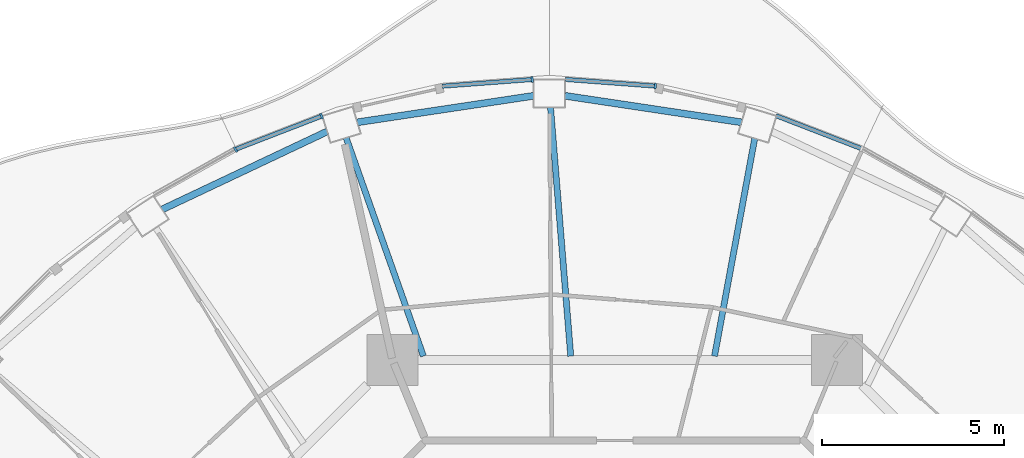
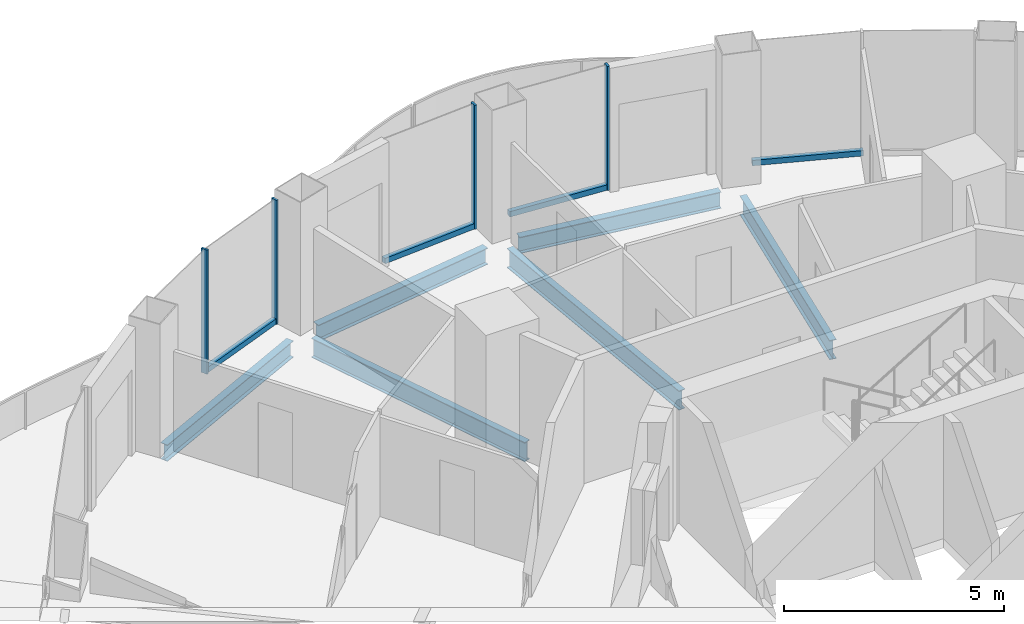
# One storey, part 6 of 17: 8 members, 6 beams, 5 elements without a shape of their own.
"""IFC4 building model written with IfcOpenShell, lengths in metres."""

from ifc_helpers import new_model, si_unit, direction, frame, origin, origin_2d, place, context, subcontext, project, spatial, rectangle, i_section, extrude, material, layer, layer_set, material_profile, profile_set, type_object, element, aggregate, save


model = new_model("IFC4")

# Units and contexts
model_context = context("Model", 3, precision=1e-05, world=origin(), true_north=direction((0.0, 1.0)))
body_context = subcontext(model_context, "Body", "Model", "MODEL_VIEW")
ifc_project = project(units=[si_unit("LENGTHUNIT", "METRE"), si_unit("AREAUNIT", "SQUARE_METRE"), si_unit("VOLUMEUNIT", "CUBIC_METRE"), si_unit("PLANEANGLEUNIT", "RADIAN"), si_unit("MASSUNIT", "GRAM", prefix="KILO")], contexts=[model_context])

# Site, building, storey
site_placement = place(None, origin())
site = spatial("IfcSite", under=ifc_project, at=site_placement, CompositionType="ELEMENT")
building_placement = place(site_placement, origin())
building = spatial("IfcBuilding", under=site, at=building_placement, Name="Nagisa Residences", CompositionType="ELEMENT")
storey_placement = place(building_placement, frame((0.0, 0.0, 273.300048828125)))
storey = spatial("IfcBuildingStorey", under=building, at=storey_placement, Name="L69", CompositionType="ELEMENT", Elevation=273.300048828125)

# Curtain wall, member
ifc_material_1 = material(Name="Concrete-coloured aluminium curtain wall system", Category="concrete")
ifc_layer = layer(ifc_material_1, 0.159912109375)
ifc_layer_set = layer_set([ifc_layer], Name="CW1 CURTAIN WALL")
curtain_wall_type = type_object("IfcCurtainWallType", Name="CW1 CURTAIN WALL", PredefinedType="NOTDEFINED", material=ifc_layer_set)
curtain_wall_1_placement = place(storey_placement, origin())
curtain_wall_1 = element("IfcCurtainWall", 1, at=curtain_wall_1_placement, inside=storey, type_object=curtain_wall_type, Name="cw:CW1:L69:11", PredefinedType="NOTDEFINED")
ifc_material_2 = material(Name="Concrete-coloured aluminium", Category="concrete")
ifc_material_profile_1 = material_profile(ifc_material_2, rectangle(XDim=0.159912109375, YDim=0.06005859375, at=origin_2d()), Name="CW1 MULLION 160x60")
ifc_profile_set_1 = profile_set([ifc_material_profile_1], Name="Concrete-coloured aluminium")
member_type_1 = type_object("IfcMemberType", Name="CW1 MULLION 160x60", PredefinedType="MULLION", material=ifc_profile_set_1)
member_1_placement = place(storey_placement, frame((1.11669921875, 22.324462890625, 0.0), z_axis=(0.0, 0.0, 1.0), x_axis=(-0.074377355493, -0.997230168512, 0.0)))
member_1 = element("IfcMember", 2, at=member_1_placement, type_object=member_type_1, Name="CW1 mullion", PredefinedType="MULLION", context=body_context, shape_type="SweptSolid", body=[
    extrude(rectangle(XDim=0.159912109375, YDim=0.06005859375, at=origin_2d()), origin(), (0.0, 0.0, 1.0), 3.43994140625),
])

curtain_wall_2_placement = place(storey_placement, origin())
curtain_wall_2 = element("IfcCurtainWall", 3, at=curtain_wall_2_placement, inside=storey, type_object=curtain_wall_type, Name="cw:CW1:L69:12", PredefinedType="NOTDEFINED")
member_2_placement = place(storey_placement, frame((-2.272705078125, 22.5068359375, 0.0), z_axis=(0.0, 0.0, 1.0), x_axis=(0.074377355493, -0.997230168512, 0.0)))
member_2 = element("IfcMember", 4, at=member_2_placement, type_object=member_type_1, Name="CW1 mullion", PredefinedType="MULLION", context=body_context, shape_type="SweptSolid", body=[
    extrude(rectangle(XDim=0.159912109375, YDim=0.06005859375, at=origin_2d()), origin(), (0.0, 0.0, 1.0), 3.43994140625),
])

curtain_wall_3_placement = place(storey_placement, origin())
curtain_wall_3 = element("IfcCurtainWall", 5, at=curtain_wall_3_placement, inside=storey, type_object=curtain_wall_type, Name="cw:CW1:L69:14", PredefinedType="NOTDEFINED")
member_3_placement = place(storey_placement, frame((-8.073486328125, 21.49755859375, 0.0), z_axis=(0.0, 0.0, 1.0), x_axis=(0.360327770268, -0.932825759707, 0.0)))
member_3 = element("IfcMember", 6, at=member_3_placement, type_object=member_type_1, Name="CW1 mullion", PredefinedType="MULLION", context=body_context, shape_type="SweptSolid", body=[
    extrude(rectangle(XDim=0.159912109375, YDim=0.06005859375, at=origin_2d()), origin(), (0.0, 0.0, 1.0), 3.43994140625),
])

curtain_wall_4_placement = place(storey_placement, origin())
curtain_wall_4 = element("IfcCurtainWall", 7, at=curtain_wall_4_placement, inside=storey, type_object=curtain_wall_type, Name="cw:CW1:L69:15", PredefinedType="NOTDEFINED")
member_4_placement = place(storey_placement, frame((-10.443359375, 20.57861328125, 0.0), z_axis=(0.0, 0.0, 1.0), x_axis=(0.489376918501, -0.872072377523, 0.0)))
member_4 = element("IfcMember", 8, at=member_4_placement, type_object=member_type_1, Name="CW1 mullion", PredefinedType="MULLION", context=body_context, shape_type="SweptSolid", body=[
    extrude(rectangle(XDim=0.159912109375, YDim=0.06005859375, at=origin_2d()), origin(), (0.0, 0.0, 1.0), 3.43994140625),
])
aggregate(curtain_wall_4, [member_4])

curtain_wall_5_placement = place(storey_placement, origin())
curtain_wall_5 = element("IfcCurtainWall", 9, at=curtain_wall_5_placement, inside=storey, type_object=curtain_wall_type, Name="cw:CW1:L69:09", PredefinedType="NOTDEFINED")
ifc_material_3 = material(Name="Concrete-coloured aluminium", Category="concrete")
ifc_material_profile_2 = material_profile(ifc_material_3, rectangle(XDim=0.1201171875, YDim=0.14990234375, at=origin_2d()), Name="CW1 TRANSOM 120x150")
ifc_profile_set_2 = profile_set([ifc_material_profile_2], Name="Concrete-coloured aluminium")
member_type_2 = type_object("IfcMemberType", Name="CW1 TRANSOM 120x150", PredefinedType="USERDEFINED", material=ifc_profile_set_2)
member_5_placement = place(storey_placement, frame((6.827392578125, 20.58837890625, 0.074951171875), z_axis=(-0.93282223778, 0.360336887792, 0.0), x_axis=(-0.360336887792, -0.93282223778, 0.0)))
member_5 = element("IfcMember", 10, at=member_5_placement, type_object=member_type_2, Name="CW1 transom", ObjectType="TRANSOM", PredefinedType="USERDEFINED", context=body_context, shape_type="SweptSolid", body=[
    extrude(rectangle(XDim=0.1201171875, YDim=0.14990234375, at=origin_2d()), origin(), (0.0, 0.0, 1.0), 2.5537109375),
])
aggregate(curtain_wall_5, [member_5])

# Member
member_6_placement = place(storey_placement, frame((1.146484375, 22.322265625, 0.074951171875), z_axis=(-0.99722914645, 0.074391057731, 0.0), x_axis=(-0.074391057731, -0.99722914645, 0.0)))
member_6 = element("IfcMember", 11, at=member_6_placement, type_object=member_type_2, Name="CW1 transom", ObjectType="TRANSOM", PredefinedType="USERDEFINED", context=body_context, shape_type="SweptSolid", body=[
    extrude(rectangle(XDim=0.1201171875, YDim=0.14990234375, at=origin_2d()), origin(), (0.0, 0.0, 1.0), 2.510498046875),
])

aggregate(curtain_wall_1, [member_1, member_6])

member_7_placement = place(storey_placement, frame((-2.242919921875, 22.509033203125, 0.074951171875), z_axis=(-0.99722914645, -0.074391057731, 0.0), x_axis=(0.074391057731, -0.99722914645, 0.0)))
member_7 = element("IfcMember", 12, at=member_7_placement, type_object=member_type_2, Name="CW1 transom", ObjectType="TRANSOM", PredefinedType="USERDEFINED", context=body_context, shape_type="SweptSolid", body=[
    extrude(rectangle(XDim=0.1201171875, YDim=0.14990234375, at=origin_2d()), origin(), (0.0, 0.0, 1.0), 2.510498046875),
])

aggregate(curtain_wall_2, [member_2, member_7])

member_8_placement = place(storey_placement, frame((-8.04541015625, 21.508544921875, 0.074951171875), z_axis=(-0.93282223778, -0.360336887792, 0.0), x_axis=(0.360336887792, -0.93282223778, 0.0)))
member_8 = element("IfcMember", 13, at=member_8_placement, type_object=member_type_2, Name="CW1 transom", ObjectType="TRANSOM", PredefinedType="USERDEFINED", context=body_context, shape_type="SweptSolid", body=[
    extrude(rectangle(XDim=0.1201171875, YDim=0.14990234375, at=origin_2d()), origin(), (0.0, 0.0, 1.0), 2.5537109375),
])

aggregate(curtain_wall_3, [member_3, member_8])

# Beams
ifc_material_4 = material(Name="Steel ASTM A572 Gr 50", Category="steel")
ifc_material_profile_3 = material_profile(ifc_material_4, i_section(OverallWidth=0.18994140625, OverallDepth=0.45703125, WebThickness=0.009033203125, FlangeThickness=0.014404296875, at=origin_2d()), Name="W460x74")
ifc_profile_set_3 = profile_set([ifc_material_profile_3], Name="Steel ASTM A572 Gr 50")
beam_type_1 = type_object("IfcBeamType", Name="Perimeter ring beam W460x74", PredefinedType="BEAM", material=ifc_profile_set_3)
beam_1_placement = place(storey_placement, frame((3.4951171875, 21.326904296875, -0.488525390625), z_axis=(-0.988907577601, 0.148532161377, 0.0), x_axis=(-0.148532161377, -0.988907577601, 0.0)))
element("IfcBeam", 14, at=beam_1_placement, inside=storey, type_object=beam_type_1, Name="beam:L69:pb06", PredefinedType="BEAM", context=body_context, shape_type="SweptSolid", body=[
    extrude(i_section(OverallWidth=0.18994140625, OverallDepth=0.45703125, WebThickness=0.009033203125, FlangeThickness=0.014404296875, at=origin_2d()), origin(), (0.0, 0.0, 1.0), 4.919677734375),
])
beam_2_placement = place(storey_placement, frame((-2.230224609375, 22.0576171875, -0.488525390625), z_axis=(-0.98890648267, -0.148539451101, 0.0), x_axis=(0.148539451101, -0.98890648267, 0.0)))
element("IfcBeam", 15, at=beam_2_placement, inside=storey, type_object=beam_type_1, Name="beam:L69:pb07", PredefinedType="BEAM", context=body_context, shape_type="SweptSolid", body=[
    extrude(i_section(OverallWidth=0.18994140625, OverallDepth=0.45703125, WebThickness=0.009033203125, FlangeThickness=0.014404296875, at=origin_2d()), origin(), (0.0, 0.0, 1.0), 4.91943359375),
])
beam_3_placement = place(storey_placement, frame((-7.918212890625, 21.076416015625, -0.488525390625), z_axis=(-0.904115893837, -0.427287316113, 0.0), x_axis=(0.427287316113, -0.904115893837, 0.0)))
element("IfcBeam", 16, at=beam_3_placement, inside=storey, type_object=beam_type_1, Name="beam:L69:pb08", PredefinedType="BEAM", context=body_context, shape_type="SweptSolid", body=[
    extrude(i_section(OverallWidth=0.18994140625, OverallDepth=0.45703125, WebThickness=0.009033203125, FlangeThickness=0.014404296875, at=origin_2d()), origin(), (0.0, 0.0, 1.0), 5.031494140625),
])
ifc_material_5 = material(Name="Steel ASTM A572 Gr 50", Category="steel")
ifc_material_profile_4 = material_profile(ifc_material_5, i_section(OverallWidth=0.166015625, OverallDepth=0.534912109375, WebThickness=0.01025390625, FlangeThickness=0.0166015625, at=origin_2d()), Name="W530x85")
ifc_profile_set_4 = profile_set([ifc_material_profile_4], Name="Steel ASTM A572 Gr 50")
beam_type_2 = type_object("IfcBeamType", Name="Radial beam W530x85", PredefinedType="BEAM", material=ifc_profile_set_4)
beam_4_placement = place(storey_placement, frame((3.855712890625, 20.885986328125, -0.527587890625), z_axis=(-0.18155164865, -0.983381410681, 0.0), x_axis=(0.983381410681, -0.18155164865, 0.0)))
element("IfcBeam", 17, at=beam_4_placement, inside=storey, type_object=beam_type_2, Name="beam:L69:rb06", PredefinedType="BEAM", context=body_context, shape_type="SweptSolid", body=[
    extrude(i_section(OverallWidth=0.166015625, OverallDepth=0.534912109375, WebThickness=0.01025390625, FlangeThickness=0.0166015625, at=origin_2d()), origin(), (0.0, 0.0, 1.0), 6.098388671875),
])
beam_5_placement = place(storey_placement, frame((-1.76904296875, 21.7421875, -0.527587890625), z_axis=(0.081094239996, -0.996706438346, 0.0), x_axis=(0.996706438346, 0.081094239996, 0.0)))
element("IfcBeam", 18, at=beam_5_placement, inside=storey, type_object=beam_type_2, Name="beam:L69:rb07", PredefinedType="BEAM", context=body_context, shape_type="SweptSolid", body=[
    extrude(i_section(OverallWidth=0.166015625, OverallDepth=0.534912109375, WebThickness=0.01025390625, FlangeThickness=0.0166015625, at=origin_2d()), origin(), (0.0, 0.0, 1.0), 6.876220703125),
])
beam_6_placement = place(storey_placement, frame((-7.398193359375, 20.903564453125, -0.527587890625), z_axis=(0.333636730814, -0.942701719449, 0.0), x_axis=(0.942701719449, 0.333636730814, 0.0)))
element("IfcBeam", 19, at=beam_6_placement, inside=storey, type_object=beam_type_2, Name="beam:L69:rb08", PredefinedType="BEAM", context=body_context, shape_type="SweptSolid", body=[
    extrude(i_section(OverallWidth=0.166015625, OverallDepth=0.534912109375, WebThickness=0.01025390625, FlangeThickness=0.0166015625, at=origin_2d()), origin(), (0.0, 0.0, 1.0), 6.37939453125),
])

save(model, "model.ifc")
